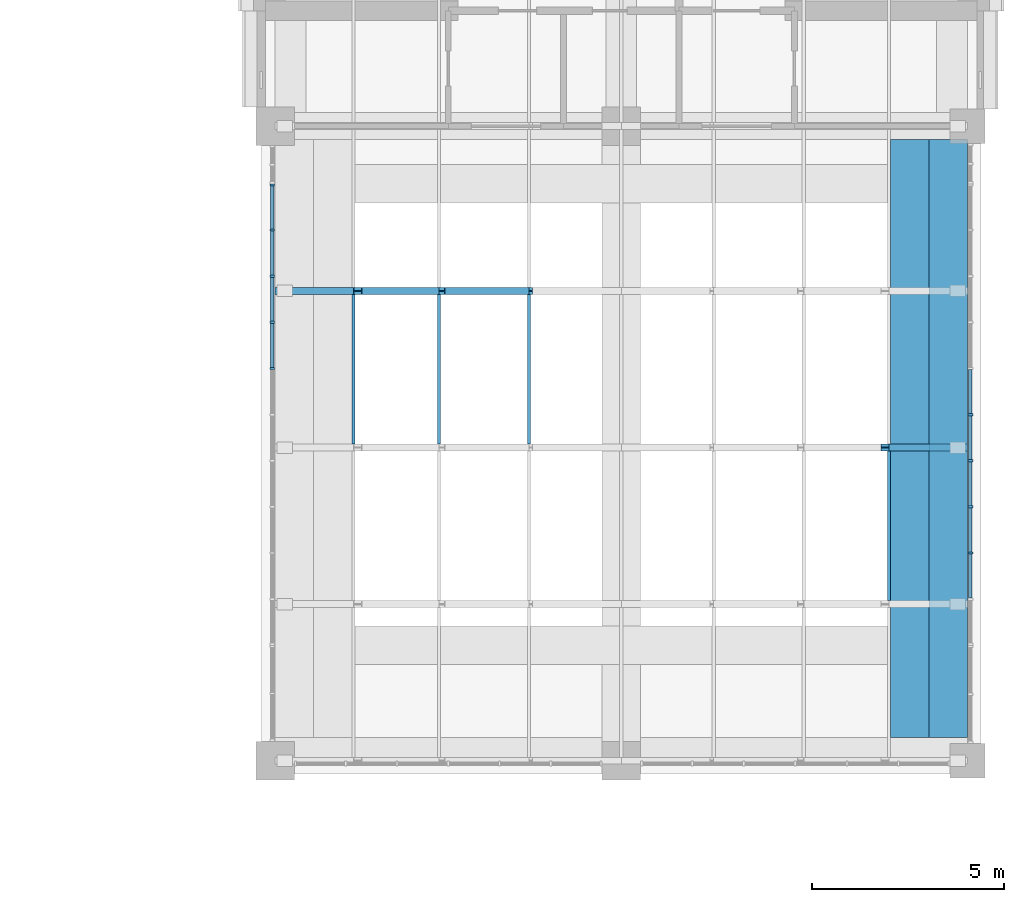
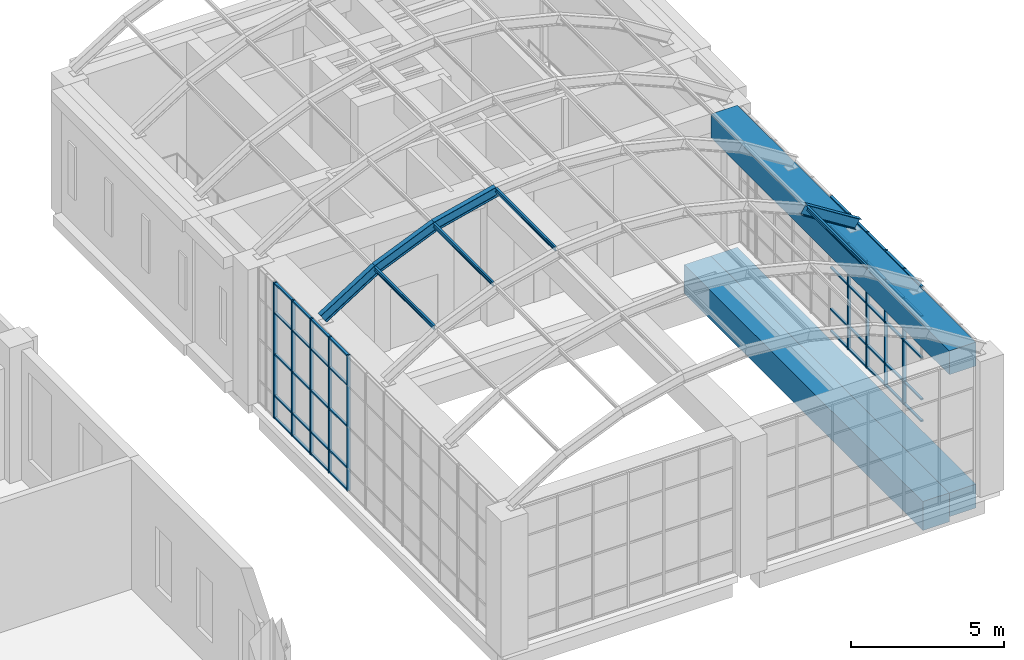
# One storey, part 9 of 39: 62 members, 3 beams, 2 elements without a shape of their own.
"""IFC4 building model written with IfcOpenShell, lengths in metres."""

from ifc_helpers import new_model, si_unit, direction, frame, origin, origin_2d, place, context, subcontext, project, spatial, rectangle, i_section, extrude, material, layer, layer_set, material_profile, profile_set, type_object, element, aggregate, save


model = new_model("IFC4")

# Units and contexts
model_context = context("Model", 3, precision=1e-05, world=origin(), true_north=direction((0.0, 1.0)))
body_context = subcontext(model_context, "Body", "Model", "MODEL_VIEW")
ifc_project = project(units=[si_unit("LENGTHUNIT", "METRE"), si_unit("AREAUNIT", "SQUARE_METRE"), si_unit("VOLUMEUNIT", "CUBIC_METRE"), si_unit("PLANEANGLEUNIT", "RADIAN"), si_unit("MASSUNIT", "GRAM", prefix="KILO")], contexts=[model_context])

# Site, building, storey
site_placement = place(None, origin())
site = spatial("IfcSite", under=ifc_project, at=site_placement, CompositionType="ELEMENT")
building_placement = place(site_placement, origin())
building = spatial("IfcBuilding", under=site, at=building_placement, Name="Aurelan Courthouse", CompositionType="ELEMENT")
storey_placement = place(building_placement, frame((0.0, 0.0, 28.199951171875)))
storey = spatial("IfcBuildingStorey", under=building, at=storey_placement, Name="L05", CompositionType="ELEMENT", Elevation=28.199951171875)

# Curtain wall, members
ifc_material_1 = material(Name="Bronze-finished aluminium and glass", Category="aluminium")
ifc_layer = layer(ifc_material_1, 0.14990234375)
ifc_layer_set = layer_set([ifc_layer], Name="Bronze-finished aluminium and glass")
curtain_wall_type = type_object("IfcCurtainWallType", Name="Curtain wall 12000 x 5400", PredefinedType="NOTDEFINED", material=ifc_layer_set)
curtain_wall_1_placement = place(storey_placement, origin())
curtain_wall_1 = element("IfcCurtainWall", 1, at=curtain_wall_1_placement, inside=storey, type_object=curtain_wall_type, Name="Curtain wall CW-V3-L05-E02", PredefinedType="NOTDEFINED")
ifc_material_2 = material(Name="Bronze-finished aluminium", Category="aluminium")
ifc_material_profile_1 = material_profile(ifc_material_2, rectangle(XDim=0.125, YDim=0.06005859375, at=origin_2d()), Name="Bronze mullion 60 x 125")
ifc_profile_set_1 = profile_set([ifc_material_profile_1], Name="Bronze-finished aluminium")
member_type_1 = type_object("IfcMemberType", Name="Curtain wall mullion 60 x 125", PredefinedType="MULLION", material=ifc_profile_set_1)
member_1_placement = place(storey_placement, frame((90.074951171875, 42.89990234375, 0.0), z_axis=(0.0, 0.0, 1.0), x_axis=(-1.0, 0.0, 0.0)))
member_1 = element("IfcMember", 2, at=member_1_placement, type_object=member_type_1, Name="CW-V3-L05-E02 mullion 3", PredefinedType="MULLION", context=body_context, shape_type="SweptSolid", body=[
    extrude(rectangle(XDim=0.125, YDim=0.06005859375, at=origin_2d()), origin(), (0.0, 0.0, 1.0), 5.400146484375),
])
member_2_placement = place(storey_placement, frame((90.074951171875, 44.10009765625, 0.0), z_axis=(0.0, 0.0, 1.0), x_axis=(-1.0, 0.0, 0.0)))
member_2 = element("IfcMember", 3, at=member_2_placement, type_object=member_type_1, Name="CW-V3-L05-E02 mullion 4", PredefinedType="MULLION", context=body_context, shape_type="SweptSolid", body=[
    extrude(rectangle(XDim=0.125, YDim=0.06005859375, at=origin_2d()), origin(), (0.0, 0.0, 1.0), 5.400146484375),
])
member_3_placement = place(storey_placement, frame((90.074951171875, 45.300048828125, 0.0), z_axis=(0.0, 0.0, 1.0), x_axis=(-1.0, 0.0, 0.0)))
member_3 = element("IfcMember", 4, at=member_3_placement, type_object=member_type_1, Name="CW-V3-L05-E02 mullion 5", PredefinedType="MULLION", context=body_context, shape_type="SweptSolid", body=[
    extrude(rectangle(XDim=0.125, YDim=0.06005859375, at=origin_2d()), origin(), (0.0, 0.0, 1.0), 5.400146484375),
])
member_4_placement = place(storey_placement, frame((90.074951171875, 46.5, 0.0), z_axis=(0.0, 0.0, 1.0), x_axis=(-1.0, 0.0, 0.0)))
member_4 = element("IfcMember", 5, at=member_4_placement, type_object=member_type_1, Name="CW-V3-L05-E02 mullion 6", PredefinedType="MULLION", context=body_context, shape_type="SweptSolid", body=[
    extrude(rectangle(XDim=0.125, YDim=0.06005859375, at=origin_2d()), origin(), (0.0, 0.0, 1.0), 5.400146484375),
])

curtain_wall_2_placement = place(storey_placement, origin())
curtain_wall_2 = element("IfcCurtainWall", 6, at=curtain_wall_2_placement, inside=storey, type_object=curtain_wall_type, Name="Curtain wall CW-V3-L05-W02", PredefinedType="NOTDEFINED")
member_5_placement = place(storey_placement, frame((71.925048828125, 47.699951171875, 0.0), z_axis=(0.0, 0.0, 1.0), x_axis=(-1.0, 0.0, 0.0)))
member_5 = element("IfcMember", 7, at=member_5_placement, type_object=member_type_1, Name="CW-V3-L05-W02 mullion 7", PredefinedType="MULLION", context=body_context, shape_type="SweptSolid", body=[
    extrude(rectangle(XDim=0.125, YDim=0.06005859375, at=origin_2d()), origin(), (0.0, 0.0, 1.0), 5.400146484375),
])
member_6_placement = place(storey_placement, frame((71.925048828125, 48.89990234375, 0.0), z_axis=(0.0, 0.0, 1.0), x_axis=(-1.0, 0.0, 0.0)))
member_6 = element("IfcMember", 8, at=member_6_placement, type_object=member_type_1, Name="CW-V3-L05-W02 mullion 8", PredefinedType="MULLION", context=body_context, shape_type="SweptSolid", body=[
    extrude(rectangle(XDim=0.125, YDim=0.06005859375, at=origin_2d()), origin(), (0.0, 0.0, 1.0), 5.400146484375),
])
member_7_placement = place(storey_placement, frame((71.925048828125, 50.10009765625, 0.0), z_axis=(0.0, 0.0, 1.0), x_axis=(-1.0, 0.0, 0.0)))
member_7 = element("IfcMember", 9, at=member_7_placement, type_object=member_type_1, Name="CW-V3-L05-W02 mullion 9", PredefinedType="MULLION", context=body_context, shape_type="SweptSolid", body=[
    extrude(rectangle(XDim=0.125, YDim=0.06005859375, at=origin_2d()), origin(), (0.0, 0.0, 1.0), 5.400146484375),
])
member_8_placement = place(storey_placement, frame((71.925048828125, 51.300048828125, 0.0), z_axis=(0.0, 0.0, 1.0), x_axis=(-1.0, 0.0, 0.0)))
member_8 = element("IfcMember", 10, at=member_8_placement, type_object=member_type_1, Name="CW-V3-L05-W02 mullion 10", PredefinedType="MULLION", context=body_context, shape_type="SweptSolid", body=[
    extrude(rectangle(XDim=0.125, YDim=0.06005859375, at=origin_2d()), origin(), (0.0, 0.0, 1.0), 5.400146484375),
])
member_9_placement = place(storey_placement, frame((71.925048828125, 52.469970703125, 0.0), z_axis=(0.0, 0.0, 1.0), x_axis=(-1.0, 0.0, 0.0)))
member_9 = element("IfcMember", 11, at=member_9_placement, type_object=member_type_1, Name="CW-V3-L05-W02 mullion 11", PredefinedType="MULLION", context=body_context, shape_type="SweptSolid", body=[
    extrude(rectangle(XDim=0.125, YDim=0.06005859375, at=origin_2d()), origin(), (0.0, 0.0, 1.0), 5.400146484375),
])

# Member
ifc_material_profile_2 = material_profile(ifc_material_2, rectangle(XDim=0.090087890625, YDim=0.06005859375, at=origin_2d()), Name="Bronze transom 60 x 90")
ifc_profile_set_2 = profile_set([ifc_material_profile_2], Name="Bronze-finished aluminium")
member_type_2 = type_object("IfcMemberType", Name="Curtain wall transom 60 x 90", PredefinedType="USERDEFINED", material=ifc_profile_set_2)
member_10_placement = place(storey_placement, frame((90.074951171875, 41.72998046875, 0.030029296875), z_axis=(0.0, 1.0, 0.0), x_axis=(-1.0, 0.0, 0.0)))
member_10 = element("IfcMember", 12, at=member_10_placement, type_object=member_type_2, Name="CW-V3-L05-E02 transom 2.1", ObjectType="TRANSOM", PredefinedType="USERDEFINED", context=body_context, shape_type="SweptSolid", body=[
    extrude(rectangle(XDim=0.090087890625, YDim=0.06005859375, at=origin_2d()), origin(), (0.0, 0.0, 1.0), 1.14013671875),
])

member_11_placement = place(storey_placement, frame((90.074951171875, 41.72998046875, 0.900146484375), z_axis=(0.0, 1.0, 0.0), x_axis=(-1.0, 0.0, 0.0)))
member_11 = element("IfcMember", 13, at=member_11_placement, type_object=member_type_2, Name="CW-V3-L05-E02 transom 2.2", ObjectType="TRANSOM", PredefinedType="USERDEFINED", context=body_context, shape_type="SweptSolid", body=[
    extrude(rectangle(XDim=0.090087890625, YDim=0.06005859375, at=origin_2d()), origin(), (0.0, 0.0, 1.0), 1.14013671875),
])

member_12_placement = place(storey_placement, frame((90.074951171875, 41.72998046875, 2.550048828125), z_axis=(0.0, 1.0, 0.0), x_axis=(-1.0, 0.0, 0.0)))
member_12 = element("IfcMember", 14, at=member_12_placement, type_object=member_type_2, Name="CW-V3-L05-E02 transom 2.3", ObjectType="TRANSOM", PredefinedType="USERDEFINED", context=body_context, shape_type="SweptSolid", body=[
    extrude(rectangle(XDim=0.090087890625, YDim=0.06005859375, at=origin_2d()), origin(), (0.0, 0.0, 1.0), 1.14013671875),
])

member_13_placement = place(storey_placement, frame((90.074951171875, 41.72998046875, 4.199951171875), z_axis=(0.0, 1.0, 0.0), x_axis=(-1.0, 0.0, 0.0)))
member_13 = element("IfcMember", 15, at=member_13_placement, type_object=member_type_2, Name="CW-V3-L05-E02 transom 2.4", ObjectType="TRANSOM", PredefinedType="USERDEFINED", context=body_context, shape_type="SweptSolid", body=[
    extrude(rectangle(XDim=0.090087890625, YDim=0.06005859375, at=origin_2d()), origin(), (0.0, 0.0, 1.0), 1.14013671875),
])

member_14_placement = place(storey_placement, frame((90.074951171875, 41.72998046875, 5.3701171875), z_axis=(0.0, 1.0, 0.0), x_axis=(-1.0, 0.0, 0.0)))
member_14 = element("IfcMember", 16, at=member_14_placement, type_object=member_type_2, Name="CW-V3-L05-E02 transom 2.5", ObjectType="TRANSOM", PredefinedType="USERDEFINED", context=body_context, shape_type="SweptSolid", body=[
    extrude(rectangle(XDim=0.090087890625, YDim=0.06005859375, at=origin_2d()), origin(), (0.0, 0.0, 1.0), 1.14013671875),
])

member_15_placement = place(storey_placement, frame((90.074951171875, 42.929931640625, 0.030029296875), z_axis=(0.0, 1.0, 0.0), x_axis=(-1.0, 0.0, 0.0)))
member_15 = element("IfcMember", 17, at=member_15_placement, type_object=member_type_2, Name="CW-V3-L05-E02 transom 3.1", ObjectType="TRANSOM", PredefinedType="USERDEFINED", context=body_context, shape_type="SweptSolid", body=[
    extrude(rectangle(XDim=0.090087890625, YDim=0.06005859375, at=origin_2d()), origin(), (0.0, 0.0, 1.0), 1.14013671875),
])

member_16_placement = place(storey_placement, frame((90.074951171875, 42.929931640625, 0.900146484375), z_axis=(0.0, 1.0, 0.0), x_axis=(-1.0, 0.0, 0.0)))
member_16 = element("IfcMember", 18, at=member_16_placement, type_object=member_type_2, Name="CW-V3-L05-E02 transom 3.2", ObjectType="TRANSOM", PredefinedType="USERDEFINED", context=body_context, shape_type="SweptSolid", body=[
    extrude(rectangle(XDim=0.090087890625, YDim=0.06005859375, at=origin_2d()), origin(), (0.0, 0.0, 1.0), 1.14013671875),
])

member_17_placement = place(storey_placement, frame((90.074951171875, 42.929931640625, 2.550048828125), z_axis=(0.0, 1.0, 0.0), x_axis=(-1.0, 0.0, 0.0)))
member_17 = element("IfcMember", 19, at=member_17_placement, type_object=member_type_2, Name="CW-V3-L05-E02 transom 3.3", ObjectType="TRANSOM", PredefinedType="USERDEFINED", context=body_context, shape_type="SweptSolid", body=[
    extrude(rectangle(XDim=0.090087890625, YDim=0.06005859375, at=origin_2d()), origin(), (0.0, 0.0, 1.0), 1.14013671875),
])

member_18_placement = place(storey_placement, frame((90.074951171875, 42.929931640625, 4.199951171875), z_axis=(0.0, 1.0, 0.0), x_axis=(-1.0, 0.0, 0.0)))
member_18 = element("IfcMember", 20, at=member_18_placement, type_object=member_type_2, Name="CW-V3-L05-E02 transom 3.4", ObjectType="TRANSOM", PredefinedType="USERDEFINED", context=body_context, shape_type="SweptSolid", body=[
    extrude(rectangle(XDim=0.090087890625, YDim=0.06005859375, at=origin_2d()), origin(), (0.0, 0.0, 1.0), 1.14013671875),
])

member_19_placement = place(storey_placement, frame((90.074951171875, 42.929931640625, 5.3701171875), z_axis=(0.0, 1.0, 0.0), x_axis=(-1.0, 0.0, 0.0)))
member_19 = element("IfcMember", 21, at=member_19_placement, type_object=member_type_2, Name="CW-V3-L05-E02 transom 3.5", ObjectType="TRANSOM", PredefinedType="USERDEFINED", context=body_context, shape_type="SweptSolid", body=[
    extrude(rectangle(XDim=0.090087890625, YDim=0.06005859375, at=origin_2d()), origin(), (0.0, 0.0, 1.0), 1.14013671875),
])

member_20_placement = place(storey_placement, frame((90.074951171875, 44.1298828125, 0.030029296875), z_axis=(0.0, 1.0, 0.0), x_axis=(-1.0, 0.0, 0.0)))
member_20 = element("IfcMember", 22, at=member_20_placement, type_object=member_type_2, Name="CW-V3-L05-E02 transom 4.1", ObjectType="TRANSOM", PredefinedType="USERDEFINED", context=body_context, shape_type="SweptSolid", body=[
    extrude(rectangle(XDim=0.090087890625, YDim=0.06005859375, at=origin_2d()), origin(), (0.0, 0.0, 1.0), 1.14013671875),
])

member_21_placement = place(storey_placement, frame((90.074951171875, 44.1298828125, 0.900146484375), z_axis=(0.0, 1.0, 0.0), x_axis=(-1.0, 0.0, 0.0)))
member_21 = element("IfcMember", 23, at=member_21_placement, type_object=member_type_2, Name="CW-V3-L05-E02 transom 4.2", ObjectType="TRANSOM", PredefinedType="USERDEFINED", context=body_context, shape_type="SweptSolid", body=[
    extrude(rectangle(XDim=0.090087890625, YDim=0.06005859375, at=origin_2d()), origin(), (0.0, 0.0, 1.0), 1.14013671875),
])

member_22_placement = place(storey_placement, frame((90.074951171875, 44.1298828125, 2.550048828125), z_axis=(0.0, 1.0, 0.0), x_axis=(-1.0, 0.0, 0.0)))
member_22 = element("IfcMember", 24, at=member_22_placement, type_object=member_type_2, Name="CW-V3-L05-E02 transom 4.3", ObjectType="TRANSOM", PredefinedType="USERDEFINED", context=body_context, shape_type="SweptSolid", body=[
    extrude(rectangle(XDim=0.090087890625, YDim=0.06005859375, at=origin_2d()), origin(), (0.0, 0.0, 1.0), 1.14013671875),
])

member_23_placement = place(storey_placement, frame((90.074951171875, 44.1298828125, 4.199951171875), z_axis=(0.0, 1.0, 0.0), x_axis=(-1.0, 0.0, 0.0)))
member_23 = element("IfcMember", 25, at=member_23_placement, type_object=member_type_2, Name="CW-V3-L05-E02 transom 4.4", ObjectType="TRANSOM", PredefinedType="USERDEFINED", context=body_context, shape_type="SweptSolid", body=[
    extrude(rectangle(XDim=0.090087890625, YDim=0.06005859375, at=origin_2d()), origin(), (0.0, 0.0, 1.0), 1.14013671875),
])

member_24_placement = place(storey_placement, frame((90.074951171875, 44.1298828125, 5.3701171875), z_axis=(0.0, 1.0, 0.0), x_axis=(-1.0, 0.0, 0.0)))
member_24 = element("IfcMember", 26, at=member_24_placement, type_object=member_type_2, Name="CW-V3-L05-E02 transom 4.5", ObjectType="TRANSOM", PredefinedType="USERDEFINED", context=body_context, shape_type="SweptSolid", body=[
    extrude(rectangle(XDim=0.090087890625, YDim=0.06005859375, at=origin_2d()), origin(), (0.0, 0.0, 1.0), 1.14013671875),
])

member_25_placement = place(storey_placement, frame((90.074951171875, 45.330078125, 0.030029296875), z_axis=(0.0, 1.0, 0.0), x_axis=(-1.0, 0.0, 0.0)))
member_25 = element("IfcMember", 27, at=member_25_placement, type_object=member_type_2, Name="CW-V3-L05-E02 transom 5.1", ObjectType="TRANSOM", PredefinedType="USERDEFINED", context=body_context, shape_type="SweptSolid", body=[
    extrude(rectangle(XDim=0.090087890625, YDim=0.06005859375, at=origin_2d()), origin(), (0.0, 0.0, 1.0), 1.139892578125),
])

member_26_placement = place(storey_placement, frame((90.074951171875, 45.330078125, 0.900146484375), z_axis=(0.0, 1.0, 0.0), x_axis=(-1.0, 0.0, 0.0)))
member_26 = element("IfcMember", 28, at=member_26_placement, type_object=member_type_2, Name="CW-V3-L05-E02 transom 5.2", ObjectType="TRANSOM", PredefinedType="USERDEFINED", context=body_context, shape_type="SweptSolid", body=[
    extrude(rectangle(XDim=0.090087890625, YDim=0.06005859375, at=origin_2d()), origin(), (0.0, 0.0, 1.0), 1.139892578125),
])

member_27_placement = place(storey_placement, frame((90.074951171875, 45.330078125, 2.550048828125), z_axis=(0.0, 1.0, 0.0), x_axis=(-1.0, 0.0, 0.0)))
member_27 = element("IfcMember", 29, at=member_27_placement, type_object=member_type_2, Name="CW-V3-L05-E02 transom 5.3", ObjectType="TRANSOM", PredefinedType="USERDEFINED", context=body_context, shape_type="SweptSolid", body=[
    extrude(rectangle(XDim=0.090087890625, YDim=0.06005859375, at=origin_2d()), origin(), (0.0, 0.0, 1.0), 1.139892578125),
])

member_28_placement = place(storey_placement, frame((90.074951171875, 45.330078125, 4.199951171875), z_axis=(0.0, 1.0, 0.0), x_axis=(-1.0, 0.0, 0.0)))
member_28 = element("IfcMember", 30, at=member_28_placement, type_object=member_type_2, Name="CW-V3-L05-E02 transom 5.4", ObjectType="TRANSOM", PredefinedType="USERDEFINED", context=body_context, shape_type="SweptSolid", body=[
    extrude(rectangle(XDim=0.090087890625, YDim=0.06005859375, at=origin_2d()), origin(), (0.0, 0.0, 1.0), 1.139892578125),
])

member_29_placement = place(storey_placement, frame((90.074951171875, 45.330078125, 5.3701171875), z_axis=(0.0, 1.0, 0.0), x_axis=(-1.0, 0.0, 0.0)))
member_29 = element("IfcMember", 31, at=member_29_placement, type_object=member_type_2, Name="CW-V3-L05-E02 transom 5.5", ObjectType="TRANSOM", PredefinedType="USERDEFINED", context=body_context, shape_type="SweptSolid", body=[
    extrude(rectangle(XDim=0.090087890625, YDim=0.06005859375, at=origin_2d()), origin(), (0.0, 0.0, 1.0), 1.139892578125),
])

member_30_placement = place(storey_placement, frame((90.074951171875, 46.530029296875, 0.030029296875), z_axis=(0.0, 1.0, 0.0), x_axis=(-1.0, 0.0, 0.0)))
member_30 = element("IfcMember", 32, at=member_30_placement, type_object=member_type_2, Name="CW-V3-L05-E02 transom 6.1", ObjectType="TRANSOM", PredefinedType="USERDEFINED", context=body_context, shape_type="SweptSolid", body=[
    extrude(rectangle(XDim=0.090087890625, YDim=0.06005859375, at=origin_2d()), origin(), (0.0, 0.0, 1.0), 1.139892578125),
])

member_31_placement = place(storey_placement, frame((90.074951171875, 46.530029296875, 0.900146484375), z_axis=(0.0, 1.0, 0.0), x_axis=(-1.0, 0.0, 0.0)))
member_31 = element("IfcMember", 33, at=member_31_placement, type_object=member_type_2, Name="CW-V3-L05-E02 transom 6.2", ObjectType="TRANSOM", PredefinedType="USERDEFINED", context=body_context, shape_type="SweptSolid", body=[
    extrude(rectangle(XDim=0.090087890625, YDim=0.06005859375, at=origin_2d()), origin(), (0.0, 0.0, 1.0), 1.139892578125),
])

member_32_placement = place(storey_placement, frame((90.074951171875, 46.530029296875, 2.550048828125), z_axis=(0.0, 1.0, 0.0), x_axis=(-1.0, 0.0, 0.0)))
member_32 = element("IfcMember", 34, at=member_32_placement, type_object=member_type_2, Name="CW-V3-L05-E02 transom 6.3", ObjectType="TRANSOM", PredefinedType="USERDEFINED", context=body_context, shape_type="SweptSolid", body=[
    extrude(rectangle(XDim=0.090087890625, YDim=0.06005859375, at=origin_2d()), origin(), (0.0, 0.0, 1.0), 1.139892578125),
])

member_33_placement = place(storey_placement, frame((90.074951171875, 46.530029296875, 4.199951171875), z_axis=(0.0, 1.0, 0.0), x_axis=(-1.0, 0.0, 0.0)))
member_33 = element("IfcMember", 35, at=member_33_placement, type_object=member_type_2, Name="CW-V3-L05-E02 transom 6.4", ObjectType="TRANSOM", PredefinedType="USERDEFINED", context=body_context, shape_type="SweptSolid", body=[
    extrude(rectangle(XDim=0.090087890625, YDim=0.06005859375, at=origin_2d()), origin(), (0.0, 0.0, 1.0), 1.139892578125),
])

member_34_placement = place(storey_placement, frame((90.074951171875, 46.530029296875, 5.3701171875), z_axis=(0.0, 1.0, 0.0), x_axis=(-1.0, 0.0, 0.0)))
member_34 = element("IfcMember", 36, at=member_34_placement, type_object=member_type_2, Name="CW-V3-L05-E02 transom 6.5", ObjectType="TRANSOM", PredefinedType="USERDEFINED", context=body_context, shape_type="SweptSolid", body=[
    extrude(rectangle(XDim=0.090087890625, YDim=0.06005859375, at=origin_2d()), origin(), (0.0, 0.0, 1.0), 1.139892578125),
])

aggregate(curtain_wall_1, [member_1, member_2, member_3, member_4, member_10, member_11, member_12, member_13, member_14, member_15, member_16, member_17, member_18, member_19, member_20, member_21, member_22, member_23, member_24, member_25, member_26, member_27, member_28, member_29, member_30, member_31, member_32, member_33, member_34])

member_35_placement = place(storey_placement, frame((71.925048828125, 47.72998046875, 0.030029296875), z_axis=(0.0, 1.0, 0.0), x_axis=(-1.0, 0.0, 0.0)))
member_35 = element("IfcMember", 37, at=member_35_placement, type_object=member_type_2, Name="CW-V3-L05-W02 transom 7.1", ObjectType="TRANSOM", PredefinedType="USERDEFINED", context=body_context, shape_type="SweptSolid", body=[
    extrude(rectangle(XDim=0.090087890625, YDim=0.06005859375, at=origin_2d()), origin(), (0.0, 0.0, 1.0), 1.14013671875),
])

member_36_placement = place(storey_placement, frame((71.925048828125, 47.72998046875, 0.900146484375), z_axis=(0.0, 1.0, 0.0), x_axis=(-1.0, 0.0, 0.0)))
member_36 = element("IfcMember", 38, at=member_36_placement, type_object=member_type_2, Name="CW-V3-L05-W02 transom 7.2", ObjectType="TRANSOM", PredefinedType="USERDEFINED", context=body_context, shape_type="SweptSolid", body=[
    extrude(rectangle(XDim=0.090087890625, YDim=0.06005859375, at=origin_2d()), origin(), (0.0, 0.0, 1.0), 1.14013671875),
])

member_37_placement = place(storey_placement, frame((71.925048828125, 47.72998046875, 2.550048828125), z_axis=(0.0, 1.0, 0.0), x_axis=(-1.0, 0.0, 0.0)))
member_37 = element("IfcMember", 39, at=member_37_placement, type_object=member_type_2, Name="CW-V3-L05-W02 transom 7.3", ObjectType="TRANSOM", PredefinedType="USERDEFINED", context=body_context, shape_type="SweptSolid", body=[
    extrude(rectangle(XDim=0.090087890625, YDim=0.06005859375, at=origin_2d()), origin(), (0.0, 0.0, 1.0), 1.14013671875),
])

member_38_placement = place(storey_placement, frame((71.925048828125, 47.72998046875, 4.199951171875), z_axis=(0.0, 1.0, 0.0), x_axis=(-1.0, 0.0, 0.0)))
member_38 = element("IfcMember", 40, at=member_38_placement, type_object=member_type_2, Name="CW-V3-L05-W02 transom 7.4", ObjectType="TRANSOM", PredefinedType="USERDEFINED", context=body_context, shape_type="SweptSolid", body=[
    extrude(rectangle(XDim=0.090087890625, YDim=0.06005859375, at=origin_2d()), origin(), (0.0, 0.0, 1.0), 1.14013671875),
])

member_39_placement = place(storey_placement, frame((71.925048828125, 47.72998046875, 5.3701171875), z_axis=(0.0, 1.0, 0.0), x_axis=(-1.0, 0.0, 0.0)))
member_39 = element("IfcMember", 41, at=member_39_placement, type_object=member_type_2, Name="CW-V3-L05-W02 transom 7.5", ObjectType="TRANSOM", PredefinedType="USERDEFINED", context=body_context, shape_type="SweptSolid", body=[
    extrude(rectangle(XDim=0.090087890625, YDim=0.06005859375, at=origin_2d()), origin(), (0.0, 0.0, 1.0), 1.14013671875),
])

member_40_placement = place(storey_placement, frame((71.925048828125, 48.929931640625, 0.030029296875), z_axis=(0.0, 1.0, 0.0), x_axis=(-1.0, 0.0, 0.0)))
member_40 = element("IfcMember", 42, at=member_40_placement, type_object=member_type_2, Name="CW-V3-L05-W02 transom 8.1", ObjectType="TRANSOM", PredefinedType="USERDEFINED", context=body_context, shape_type="SweptSolid", body=[
    extrude(rectangle(XDim=0.090087890625, YDim=0.06005859375, at=origin_2d()), origin(), (0.0, 0.0, 1.0), 1.14013671875),
])

member_41_placement = place(storey_placement, frame((71.925048828125, 48.929931640625, 0.900146484375), z_axis=(0.0, 1.0, 0.0), x_axis=(-1.0, 0.0, 0.0)))
member_41 = element("IfcMember", 43, at=member_41_placement, type_object=member_type_2, Name="CW-V3-L05-W02 transom 8.2", ObjectType="TRANSOM", PredefinedType="USERDEFINED", context=body_context, shape_type="SweptSolid", body=[
    extrude(rectangle(XDim=0.090087890625, YDim=0.06005859375, at=origin_2d()), origin(), (0.0, 0.0, 1.0), 1.14013671875),
])

member_42_placement = place(storey_placement, frame((71.925048828125, 48.929931640625, 2.550048828125), z_axis=(0.0, 1.0, 0.0), x_axis=(-1.0, 0.0, 0.0)))
member_42 = element("IfcMember", 44, at=member_42_placement, type_object=member_type_2, Name="CW-V3-L05-W02 transom 8.3", ObjectType="TRANSOM", PredefinedType="USERDEFINED", context=body_context, shape_type="SweptSolid", body=[
    extrude(rectangle(XDim=0.090087890625, YDim=0.06005859375, at=origin_2d()), origin(), (0.0, 0.0, 1.0), 1.14013671875),
])

member_43_placement = place(storey_placement, frame((71.925048828125, 48.929931640625, 4.199951171875), z_axis=(0.0, 1.0, 0.0), x_axis=(-1.0, 0.0, 0.0)))
member_43 = element("IfcMember", 45, at=member_43_placement, type_object=member_type_2, Name="CW-V3-L05-W02 transom 8.4", ObjectType="TRANSOM", PredefinedType="USERDEFINED", context=body_context, shape_type="SweptSolid", body=[
    extrude(rectangle(XDim=0.090087890625, YDim=0.06005859375, at=origin_2d()), origin(), (0.0, 0.0, 1.0), 1.14013671875),
])

member_44_placement = place(storey_placement, frame((71.925048828125, 48.929931640625, 5.3701171875), z_axis=(0.0, 1.0, 0.0), x_axis=(-1.0, 0.0, 0.0)))
member_44 = element("IfcMember", 46, at=member_44_placement, type_object=member_type_2, Name="CW-V3-L05-W02 transom 8.5", ObjectType="TRANSOM", PredefinedType="USERDEFINED", context=body_context, shape_type="SweptSolid", body=[
    extrude(rectangle(XDim=0.090087890625, YDim=0.06005859375, at=origin_2d()), origin(), (0.0, 0.0, 1.0), 1.14013671875),
])

member_45_placement = place(storey_placement, frame((71.925048828125, 50.1298828125, 0.030029296875), z_axis=(0.0, 1.0, 0.0), x_axis=(-1.0, 0.0, 0.0)))
member_45 = element("IfcMember", 47, at=member_45_placement, type_object=member_type_2, Name="CW-V3-L05-W02 transom 9.1", ObjectType="TRANSOM", PredefinedType="USERDEFINED", context=body_context, shape_type="SweptSolid", body=[
    extrude(rectangle(XDim=0.090087890625, YDim=0.06005859375, at=origin_2d()), origin(), (0.0, 0.0, 1.0), 1.14013671875),
])

member_46_placement = place(storey_placement, frame((71.925048828125, 50.1298828125, 0.900146484375), z_axis=(0.0, 1.0, 0.0), x_axis=(-1.0, 0.0, 0.0)))
member_46 = element("IfcMember", 48, at=member_46_placement, type_object=member_type_2, Name="CW-V3-L05-W02 transom 9.2", ObjectType="TRANSOM", PredefinedType="USERDEFINED", context=body_context, shape_type="SweptSolid", body=[
    extrude(rectangle(XDim=0.090087890625, YDim=0.06005859375, at=origin_2d()), origin(), (0.0, 0.0, 1.0), 1.14013671875),
])

member_47_placement = place(storey_placement, frame((71.925048828125, 50.1298828125, 2.550048828125), z_axis=(0.0, 1.0, 0.0), x_axis=(-1.0, 0.0, 0.0)))
member_47 = element("IfcMember", 49, at=member_47_placement, type_object=member_type_2, Name="CW-V3-L05-W02 transom 9.3", ObjectType="TRANSOM", PredefinedType="USERDEFINED", context=body_context, shape_type="SweptSolid", body=[
    extrude(rectangle(XDim=0.090087890625, YDim=0.06005859375, at=origin_2d()), origin(), (0.0, 0.0, 1.0), 1.14013671875),
])

member_48_placement = place(storey_placement, frame((71.925048828125, 50.1298828125, 4.199951171875), z_axis=(0.0, 1.0, 0.0), x_axis=(-1.0, 0.0, 0.0)))
member_48 = element("IfcMember", 50, at=member_48_placement, type_object=member_type_2, Name="CW-V3-L05-W02 transom 9.4", ObjectType="TRANSOM", PredefinedType="USERDEFINED", context=body_context, shape_type="SweptSolid", body=[
    extrude(rectangle(XDim=0.090087890625, YDim=0.06005859375, at=origin_2d()), origin(), (0.0, 0.0, 1.0), 1.14013671875),
])

member_49_placement = place(storey_placement, frame((71.925048828125, 50.1298828125, 5.3701171875), z_axis=(0.0, 1.0, 0.0), x_axis=(-1.0, 0.0, 0.0)))
member_49 = element("IfcMember", 51, at=member_49_placement, type_object=member_type_2, Name="CW-V3-L05-W02 transom 9.5", ObjectType="TRANSOM", PredefinedType="USERDEFINED", context=body_context, shape_type="SweptSolid", body=[
    extrude(rectangle(XDim=0.090087890625, YDim=0.06005859375, at=origin_2d()), origin(), (0.0, 0.0, 1.0), 1.14013671875),
])

member_50_placement = place(storey_placement, frame((71.925048828125, 51.330078125, 0.030029296875), z_axis=(0.0, 1.0, 0.0), x_axis=(-1.0, 0.0, 0.0)))
member_50 = element("IfcMember", 52, at=member_50_placement, type_object=member_type_2, Name="CW-V3-L05-W02 transom 10.1", ObjectType="TRANSOM", PredefinedType="USERDEFINED", context=body_context, shape_type="SweptSolid", body=[
    extrude(rectangle(XDim=0.090087890625, YDim=0.06005859375, at=origin_2d()), origin(), (0.0, 0.0, 1.0), 1.10986328125),
])

member_51_placement = place(storey_placement, frame((71.925048828125, 51.330078125, 0.900146484375), z_axis=(0.0, 1.0, 0.0), x_axis=(-1.0, 0.0, 0.0)))
member_51 = element("IfcMember", 53, at=member_51_placement, type_object=member_type_2, Name="CW-V3-L05-W02 transom 10.2", ObjectType="TRANSOM", PredefinedType="USERDEFINED", context=body_context, shape_type="SweptSolid", body=[
    extrude(rectangle(XDim=0.090087890625, YDim=0.06005859375, at=origin_2d()), origin(), (0.0, 0.0, 1.0), 1.10986328125),
])

member_52_placement = place(storey_placement, frame((71.925048828125, 51.330078125, 2.550048828125), z_axis=(0.0, 1.0, 0.0), x_axis=(-1.0, 0.0, 0.0)))
member_52 = element("IfcMember", 54, at=member_52_placement, type_object=member_type_2, Name="CW-V3-L05-W02 transom 10.3", ObjectType="TRANSOM", PredefinedType="USERDEFINED", context=body_context, shape_type="SweptSolid", body=[
    extrude(rectangle(XDim=0.090087890625, YDim=0.06005859375, at=origin_2d()), origin(), (0.0, 0.0, 1.0), 1.10986328125),
])

member_53_placement = place(storey_placement, frame((71.925048828125, 51.330078125, 4.199951171875), z_axis=(0.0, 1.0, 0.0), x_axis=(-1.0, 0.0, 0.0)))
member_53 = element("IfcMember", 55, at=member_53_placement, type_object=member_type_2, Name="CW-V3-L05-W02 transom 10.4", ObjectType="TRANSOM", PredefinedType="USERDEFINED", context=body_context, shape_type="SweptSolid", body=[
    extrude(rectangle(XDim=0.090087890625, YDim=0.06005859375, at=origin_2d()), origin(), (0.0, 0.0, 1.0), 1.10986328125),
])

member_54_placement = place(storey_placement, frame((71.925048828125, 51.330078125, 5.3701171875), z_axis=(0.0, 1.0, 0.0), x_axis=(-1.0, 0.0, 0.0)))
member_54 = element("IfcMember", 56, at=member_54_placement, type_object=member_type_2, Name="CW-V3-L05-W02 transom 10.5", ObjectType="TRANSOM", PredefinedType="USERDEFINED", context=body_context, shape_type="SweptSolid", body=[
    extrude(rectangle(XDim=0.090087890625, YDim=0.06005859375, at=origin_2d()), origin(), (0.0, 0.0, 1.0), 1.10986328125),
])

aggregate(curtain_wall_2, [member_5, member_6, member_7, member_8, member_9, member_35, member_36, member_37, member_38, member_39, member_40, member_41, member_42, member_43, member_44, member_45, member_46, member_47, member_48, member_49, member_50, member_51, member_52, member_53, member_54])

# Beams
ifc_material_3 = material(Name="Concrete C50", Category="concrete")
ifc_material_profile_3 = material_profile(ifc_material_3, rectangle(XDim=1.0, YDim=0.949951171875, at=origin_2d()), Name="RC 1000 x 950")
ifc_profile_set_3 = profile_set([ifc_material_profile_3], Name="Concrete C50")
beam_type_1 = type_object("IfcBeamType", Name="PT girder 1000 x 950", PredefinedType="BEAM", material=ifc_profile_set_3)
for number, where, z_axis, x_axis, name in (
    (57, (89.5, 38.10009765625, -0.724853515625), (0.0, 1.0, 0.0), (-1.0, 0.0, 0.0), "Girder GB-11DE-E"),
    (58, (89.5, 38.10009765625, 4.925048828125), (0.0, 1.0, 0.0), (-1.0, 0.0, 0.0), "Girder GB-11DEER"),
):
    element("IfcBeam", number, at=place(storey_placement, frame(where, z_axis=z_axis, x_axis=x_axis)), inside=storey, type_object=beam_type_1, Name=name, PredefinedType="BEAM", context=body_context, shape_type="SweptSolid", body=[
        extrude(rectangle(XDim=1.0, YDim=0.949951171875, at=origin_2d()), origin(), (0.0, 0.0, 1.0), 15.5498046875),
    ])
ifc_material_4 = material(Name="Concrete C40", Category="concrete")
ifc_material_profile_4 = material_profile(ifc_material_4, rectangle(XDim=1.0, YDim=1.14990234375, at=origin_2d()), Name="RC 1000 x 1150")
ifc_profile_set_4 = profile_set([ifc_material_profile_4], Name="Concrete C40")
beam_type_2 = type_object("IfcBeamType", Name="RC trimmer beam 1000 x 1150", PredefinedType="JOIST", material=ifc_profile_set_4)
beam_placement = place(storey_placement, frame((88.5, 38.10009765625, -0.824951171875), z_axis=(0.0, 1.0, 0.0), x_axis=(-1.0, 0.0, 0.0)))
element("IfcBeam", 59, at=beam_placement, inside=storey, type_object=beam_type_2, Name="Trimmer beam TB-L05-002", PredefinedType="JOIST", context=body_context, shape_type="SweptSolid", body=[
    extrude(rectangle(XDim=1.0, YDim=1.14990234375, at=origin_2d()), origin(), (0.0, 0.0, 1.0), 15.5498046875),
])

# Members
ifc_material_5 = material(Name="Steel S355", Category="steel")
ifc_material_profile_5 = material_profile(ifc_material_5, i_section(OverallWidth=0.08203125, OverallDepth=0.159912109375, WebThickness=0.0048828125, FlangeThickness=0.00732421875, FilletRadius=0.009033203125, at=origin_2d()), Name="IPE 160")
ifc_profile_set_5 = profile_set([ifc_material_profile_5], Name="Steel S355")
member_type_3 = type_object("IfcMemberType", Name="Vault purlin IPE 160", PredefinedType="PURLIN", material=ifc_profile_set_5)
for number, where, z_axis, x_axis, name in (
    (60, (74.038330078125, 45.73291015625, 6.93798828125), (0.0, 1.0, 0.0), (-1.0, 0.0, 0.0), "Vault purlin VP 1-3"),
    (61, (76.256591796875, 45.73291015625, 7.89013671875), (0.0, 1.0, 0.0), (-1.0, 0.0, 0.0), "Vault purlin VP 2-3"),
    (62, (78.597412109375, 45.73291015625, 8.473388671875), (0.0, 1.0, 0.0), (-1.0, 0.0, 0.0), "Vault purlin VP 3-3"),
):
    element("IfcMember", number, at=place(storey_placement, frame(where, z_axis=z_axis, x_axis=x_axis)), inside=storey, type_object=member_type_3, Name=name, PredefinedType="PURLIN", context=body_context, shape_type="SweptSolid", body=[
        extrude(i_section(OverallWidth=0.08203125, OverallDepth=0.159912109375, WebThickness=0.0048828125, FlangeThickness=0.00732421875, FilletRadius=0.009033203125, at=origin_2d()), origin(), (0.0, 0.0, 1.0), 3.891357421875),
    ])
member_55_placement = place(storey_placement, frame((87.961669921875, 41.661376953125, 6.93798828125), z_axis=(0.0, 1.0, 0.0), x_axis=(-1.0, 0.0, 0.0)))
element("IfcMember", 63, at=member_55_placement, inside=storey, type_object=member_type_3, Name="Vault purlin VP 7-2", PredefinedType="PURLIN", context=body_context, shape_type="SweptSolid", body=[
    extrude(i_section(OverallWidth=0.08203125, OverallDepth=0.159912109375, WebThickness=0.0048828125, FlangeThickness=0.00732421875, FilletRadius=0.009033203125, at=origin_2d()), origin(), (0.0, 0.0, 1.0), 3.8916015625),
])
ifc_material_profile_6 = material_profile(ifc_material_5, i_section(OverallWidth=0.179931640625, OverallDepth=0.39990234375, WebThickness=0.008544921875, FlangeThickness=0.013427734375, FilletRadius=0.02099609375, at=origin_2d()), Name="IPE 400")
ifc_profile_set_6 = profile_set([ifc_material_profile_6], Name="Steel S355")
member_type_4 = type_object("IfcMemberType", Name="Vault rib IPE 400", PredefinedType="RAFTER", material=ifc_profile_set_6)
for number, where, z_axis, x_axis, name in (
    (64, (87.854736328125, 45.642822265625, 6.875732421875), (0.84565732059, 0.0, -0.533726237067), (0.0, 1.0, 0.0), "Vault rib VR-3 segment 8"),
    (65, (72.106689453125, 49.71435546875, 5.589111328125), (0.84565732059, 0.0, 0.533726237067), (0.0, 1.0, 0.0), "Vault rib VR-4 segment 1"),
    (66, (74.11669921875, 49.71435546875, 6.86083984375), (0.920205091929, 0.0, 0.391436570582), (0.0, 1.0, 0.0), "Vault rib VR-4 segment 2"),
):
    element("IfcMember", number, at=place(storey_placement, frame(where, z_axis=z_axis, x_axis=x_axis)), inside=storey, type_object=member_type_4, Name=name, PredefinedType="RAFTER", context=body_context, shape_type="SweptSolid", body=[
        extrude(i_section(OverallWidth=0.179931640625, OverallDepth=0.39990234375, WebThickness=0.008544921875, FlangeThickness=0.013427734375, FilletRadius=0.02099609375, at=origin_2d()), origin(), (0.0, 0.0, 1.0), 2.41064453125),
    ])
member_56_placement = place(storey_placement, frame((76.304443359375, 49.71435546875, 7.794189453125), z_axis=(0.971011985674, 0.0, 0.239030800687), x_axis=(0.0, 1.0, 0.0)))
element("IfcMember", 67, at=member_56_placement, inside=storey, type_object=member_type_4, Name="Vault rib VR-4 segment 3", PredefinedType="RAFTER", context=body_context, shape_type="SweptSolid", body=[
    extrude(i_section(OverallWidth=0.179931640625, OverallDepth=0.39990234375, WebThickness=0.008544921875, FlangeThickness=0.013427734375, FilletRadius=0.02099609375, at=origin_2d()), origin(), (0.0, 0.0, 1.0), 2.410400390625),
])

save(model, "model.ifc")
